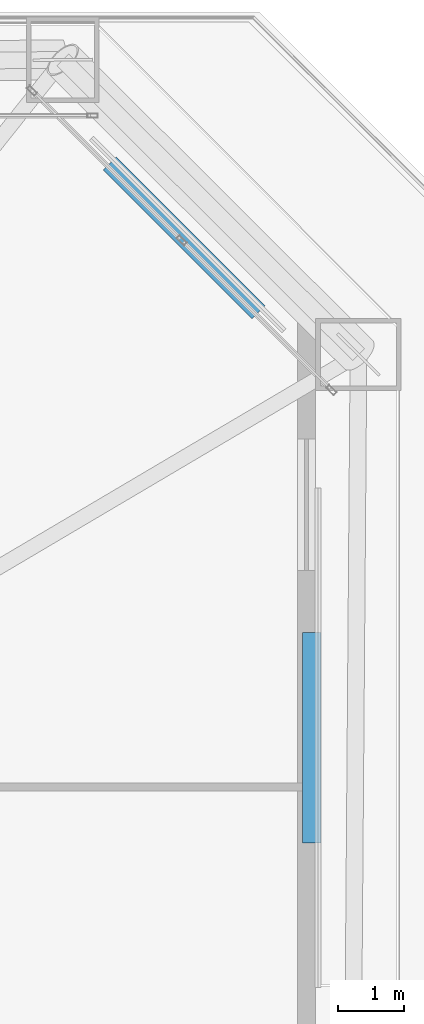
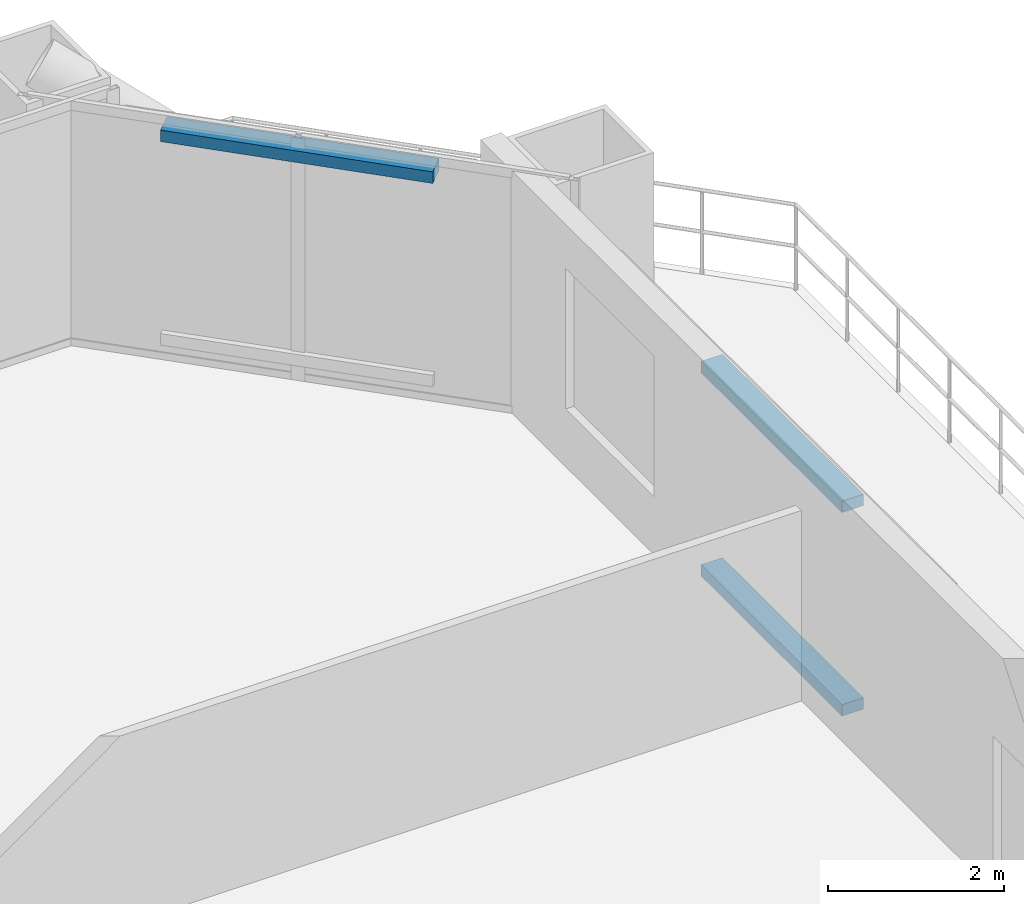
# One storey, part 31 of 34: 3 discrete accessories.
"""IFC4 building model written with IfcOpenShell, lengths in metres."""

from ifc_helpers import new_model, si_unit, direction, frame, origin, origin_2d, place, context, subcontext, project, spatial, rectangle, extrude, material, type_object, element, save


model = new_model("IFC4")

# Units and contexts
model_context = context("Model", 3, precision=1e-05, world=origin(), true_north=direction((0.0, 1.0)))
body_context = subcontext(model_context, "Body", "Model", "MODEL_VIEW")
ifc_project = project(units=[si_unit("LENGTHUNIT", "METRE"), si_unit("AREAUNIT", "SQUARE_METRE"), si_unit("VOLUMEUNIT", "CUBIC_METRE"), si_unit("PLANEANGLEUNIT", "RADIAN"), si_unit("MASSUNIT", "GRAM", prefix="KILO")], contexts=[model_context])

# Site, building, storey
site_placement = place(None, origin())
site = spatial("IfcSite", under=ifc_project, at=site_placement, CompositionType="ELEMENT")
building_placement = place(site_placement, origin())
building = spatial("IfcBuilding", under=site, at=building_placement, Name="Caelvoria Tower", CompositionType="ELEMENT")
storey_placement = place(building_placement, frame((0.0, 0.0, 28.0)))
storey = spatial("IfcBuildingStorey", under=building, at=storey_placement, Name="L06", CompositionType="ELEMENT", Elevation=28.0)

# Discrete accessories
ifc_material = material(Name="Anodised Bronze Stainless Bracket", Category="bronze")
discrete_accessory_type = type_object("IfcDiscreteAccessoryType", Name="Solar Screen Outrigger Support Bracket", PredefinedType="BRACKET", material=ifc_material)
for number, where, z_axis, x_axis, name in (
    (1, (69.4970703125, 43.159912109375, 0.240234375), (0.0, 0.0, 1.0), (0.0, 1.0, 0.0), "Solar Screen Bracket L06-E2-02"),
    (2, (69.4970703125, 43.159912109375, 3.06005859375), (0.0, 0.0, 1.0), (0.0, 1.0, 0.0), "Upper Screen Band Bracket L06-E2-02"),
    (3, (67.55908203125, 50.75927734375, 3.06005859375), (0.0, 0.0, 1.0), (-0.707106781187, 0.707106781187, 0.0), "Upper Screen Band Bracket L06-E3-00"),
):
    element("IfcDiscreteAccessory", number, at=place(storey_placement, frame(where, z_axis=z_axis, x_axis=x_axis)), inside=storey, type_object=discrete_accessory_type, Name=name, PredefinedType="BRACKET", context=body_context, shape_type="SweptSolid", body=[
        extrude(rectangle(XDim=3.199951171875, YDim=0.280029296875, at=origin_2d()), origin(), (0.0, 0.0, 1.0), 0.159912109375),
    ])

save(model, "model.ifc")
